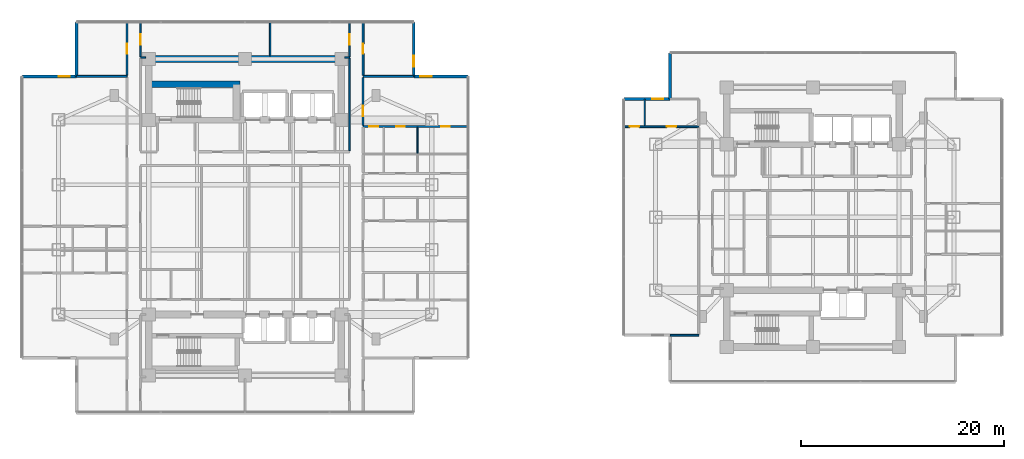
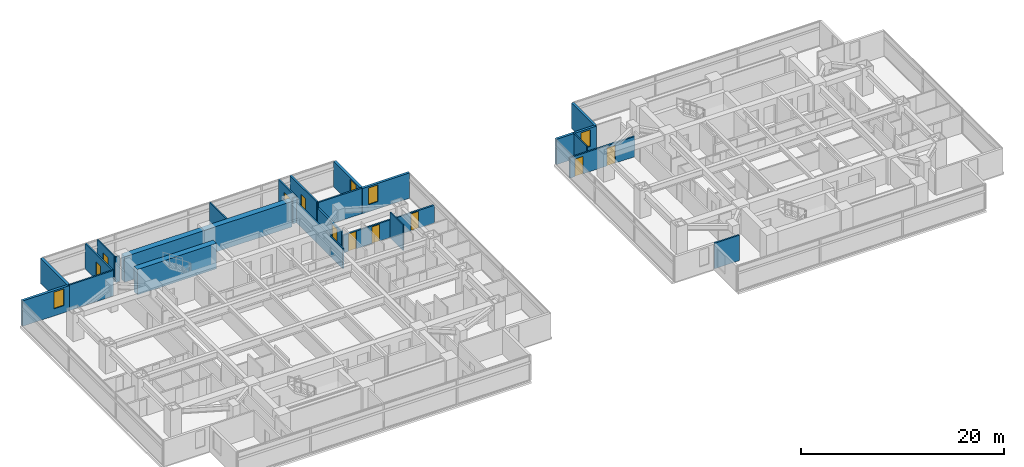
# One storey, part 16 of 24: 24 walls, 10 doors, 4 windows, 14 openings.
"""IFC4 building model written with IfcOpenShell, lengths in metres."""

from ifc_helpers import new_model, si_unit, direction, frame, frame_2d, origin, place, context, subcontext, project, spatial, rectangle, extrude, material, layer, layer_set, type_object, element, fill, save


model = new_model("IFC4")

# Units and contexts
model_context = context("Model", 3, precision=1e-05, world=origin(), true_north=direction((0.0, 1.0)))
body_context = subcontext(model_context, "Body", "Model", "MODEL_VIEW")
ifc_project = project(units=[si_unit("LENGTHUNIT", "METRE"), si_unit("AREAUNIT", "SQUARE_METRE"), si_unit("VOLUMEUNIT", "CUBIC_METRE"), si_unit("PLANEANGLEUNIT", "RADIAN"), si_unit("MASSUNIT", "GRAM", prefix="KILO")], contexts=[model_context])

# Site, building, storey
site_placement = place(None, origin())
site = spatial("IfcSite", under=ifc_project, at=site_placement, CompositionType="ELEMENT")
building_placement = place(site_placement, origin())
building = spatial("IfcBuilding", under=site, at=building_placement, Name="Mirazonda Arch Towers", CompositionType="ELEMENT")
storey_placement = place(building_placement, frame((0.0, 0.0, 68.60009765625)))
storey = spatial("IfcBuildingStorey", under=building, at=storey_placement, Name="L19", CompositionType="ELEMENT", Elevation=68.60009765625)

# Walls
ifc_material_1 = material(Name="Concrete C60/75", Category="concrete")
ifc_layer_1 = layer(ifc_material_1, 0.64990234375, Name="WALL-CORE-650")
ifc_layer_set_1 = layer_set([ifc_layer_1], Name="Concrete C60/75")
wall_type_1 = type_object("IfcWallType", Name="WALL-CORE-650", PredefinedType="SHEAR", material=ifc_layer_set_1)
wall_1_placement = place(storey_placement, frame((11.0, 43.60009765625, 0.0), z_axis=(0.0, 0.0, 1.0), x_axis=(1.0, 0.0, 0.0)))
element("IfcWall", 1, at=wall_1_placement, inside=storey, type_object=wall_type_1, Name="L19 T1N-N Core Shear Wall", PredefinedType="SHEAR", context=body_context, shape_type="SweptSolid", body=[
    extrude(rectangle(XDim=19.0, YDim=0.64990234375, at=frame_2d((9.5, 0.0))), origin(), (0.0, 0.0, 1.0), 3.059814453125),
])
wall_2_placement = place(storey_placement, frame((11.0, 41.093017578125, 0.0), z_axis=(0.0, 0.0, 1.0), x_axis=(1.0, 0.0, 0.0)))
element("IfcWall", 2, at=wall_2_placement, inside=storey, type_object=wall_type_1, Name="L19 T1N-STN Core Shear Wall", PredefinedType="SHEAR", context=body_context, shape_type="SweptSolid", body=[
    extrude(rectangle(XDim=9.0, YDim=0.64990234375, at=frame_2d((4.5, 0.0))), origin(), (0.0, 0.0, 1.0), 3.059814453125),
])

# Wall, opening, window
ifc_material_2 = material(Name="Precast Concrete C40/50", Category="concrete")
ifc_layer_2 = layer(ifc_material_2, 0.280029296875, Name="WALL-EXT-WALL-280")
ifc_layer_set_2 = layer_set([ifc_layer_2], Name="Precast Concrete C40/50")
wall_type_2 = type_object("IfcWallType", Name="WALL-EXT-WALL-280", PredefinedType="SOLIDWALL", material=ifc_layer_set_2)
wall_3_placement = place(storey_placement, frame((37.139892578125, 41.889892578125, 0.0), z_axis=(0.0, 0.0, 1.0), x_axis=(0.0, 1.0, 0.0)))
wall_3 = element("IfcWall", 3, at=wall_3_placement, inside=storey, type_object=wall_type_2, Name="L19 T1 Notched NE Corner Wall WL-L19-T1-CNE", PredefinedType="SOLIDWALL", context=body_context, shape_type="SweptSolid", body=[
    extrude(rectangle(XDim=5.340087890625, YDim=0.280029296875, at=frame_2d((2.669921875, 0.0))), origin(), (0.0, 0.0, 1.0), 3.039794921875),
])
opening_1_placement = place(wall_3_placement, frame((0.949951171875, 0.0, 0.85009765625)))
opening_1 = element("IfcOpeningElement", 4, at=opening_1_placement, cuts=wall_3, Name="Opening WN-108", PredefinedType="OPENING", context=body_context, shape_type="SweptSolid", body=[
    extrude(rectangle(XDim=1.10009765625, YDim=2.0, at=frame_2d((0.550048828125, 1.0))), frame((0.0, 0.14990234375, 0.0), z_axis=(0.0, -1.0, 0.0), x_axis=(1.0, 0.0, 0.0)), (0.0, 0.0, 1.0), 0.300048828125),
])
ifc_material_3 = material(Name="Insulated Low-E Solar Glass", Category="glass")
window_type = type_object("IfcWindowType", Name="WIN-NOTCH-1100x2000", PartitioningType="SINGLE_PANEL", PredefinedType="WINDOW", material=ifc_material_3)
window_1_placement = place(opening_1_placement, origin())
window_1 = element("IfcWindow", 5, at=window_1_placement, inside=storey, type_object=window_type, Name="L19 Punched Facade Window WN-L19-T1-CNE", OverallHeight=2.0, OverallWidth=1.10009765625, PartitioningType="SINGLE_PANEL", PredefinedType="WINDOW", context=body_context, shape_type="SweptSolid", body=[
    extrude(rectangle(XDim=1.10009765625, YDim=2.0, at=frame_2d((0.550048828125, 1.0))), frame((0.0, 0.030029296875, 0.0), z_axis=(0.0, -1.0, 0.0), x_axis=(1.0, 0.0, 0.0)), (0.0, 0.0, 1.0), 0.06005859375),
])
fill(opening_1, window_1)

wall_4_placement = place(storey_placement, frame((3.860107421875, 41.889892578125, 0.0), z_axis=(0.0, 0.0, 1.0), x_axis=(-1.0, 0.0, 0.0)))
wall_4 = element("IfcWall", 6, at=wall_4_placement, inside=storey, type_object=wall_type_2, Name="L19 T1 Corner Notch Return Wall WL-L19-T1-CNW1", PredefinedType="SOLIDWALL", context=body_context, shape_type="SweptSolid", body=[
    extrude(rectangle(XDim=5.340087890625, YDim=0.280029296875, at=frame_2d((2.669921875, 0.0))), origin(), (0.0, 0.0, 1.0), 3.039794921875),
])
opening_2_placement = place(wall_4_placement, frame((0.64990234375, 0.0, 0.85009765625)))
opening_2 = element("IfcOpeningElement", 7, at=opening_2_placement, cuts=wall_4, Name="Opening WN-108", PredefinedType="OPENING", context=body_context, shape_type="SweptSolid", body=[
    extrude(rectangle(XDim=1.10009765625, YDim=2.0, at=frame_2d((0.550048828125, 1.0))), frame((0.0, 0.14990234375, 0.0), z_axis=(0.0, -1.0, 0.0), x_axis=(1.0, 0.0, 0.0)), (0.0, 0.0, 1.0), 0.300048828125),
])
window_2_placement = place(opening_2_placement, origin())
window_2 = element("IfcWindow", 8, at=window_2_placement, inside=storey, type_object=window_type, Name="L19 Punched Facade Window WN-L19-T1-CNW1", OverallHeight=2.0, OverallWidth=1.10009765625, PartitioningType="SINGLE_PANEL", PredefinedType="WINDOW", context=body_context, shape_type="SweptSolid", body=[
    extrude(rectangle(XDim=1.10009765625, YDim=2.0, at=frame_2d((0.550048828125, 1.0))), frame((0.0, 0.030029296875, 0.0), z_axis=(0.0, -1.0, 0.0), x_axis=(1.0, 0.0, 0.0)), (0.0, 0.0, 1.0), 0.06005859375),
])
fill(opening_2, window_2)

# Wall
wall_5_placement = place(storey_placement, frame((3.860107421875, 47.22998046875, 0.0), z_axis=(0.0, 0.0, 1.0), x_axis=(0.0, -1.0, 0.0)))
element("IfcWall", 9, at=wall_5_placement, inside=storey, type_object=wall_type_2, Name="L19 T1 Corner Notch Return Wall WL-L19-T1-CNW2", PredefinedType="SOLIDWALL", context=body_context, shape_type="SweptSolid", body=[
    extrude(rectangle(XDim=5.340087890625, YDim=0.280029296875, at=frame_2d((2.669921875, 0.0))), origin(), (0.0, 0.0, 1.0), 3.039794921875),
])

# Wall, opening, window
wall_6_placement = place(storey_placement, frame((42.47998046875, 41.889892578125, 0.0), z_axis=(0.0, 0.0, 1.0), x_axis=(-1.0, 0.0, 0.0)))
wall_6 = element("IfcWall", 10, at=wall_6_placement, inside=storey, type_object=wall_type_2, Name="L19 T1 Corner Notch Return Wall WL-L19-T1-CNE2", PredefinedType="SOLIDWALL", context=body_context, shape_type="SweptSolid", body=[
    extrude(rectangle(XDim=5.340087890625, YDim=0.280029296875, at=frame_2d((2.669921875, 0.0))), origin(), (0.0, 0.0, 1.0), 3.039794921875),
])
opening_3_placement = place(wall_6_placement, frame((3.590087890625, 0.0, 0.85009765625)))
opening_3 = element("IfcOpeningElement", 11, at=opening_3_placement, cuts=wall_6, Name="Opening WN-108", PredefinedType="OPENING", context=body_context, shape_type="SweptSolid", body=[
    extrude(rectangle(XDim=1.10009765625, YDim=2.0, at=frame_2d((0.550048828125, 1.0))), frame((0.0, 0.14990234375, 0.0), z_axis=(0.0, -1.0, 0.0), x_axis=(1.0, 0.0, 0.0)), (0.0, 0.0, 1.0), 0.300048828125),
])
window_3_placement = place(opening_3_placement, origin())
window_3 = element("IfcWindow", 12, at=window_3_placement, inside=storey, type_object=window_type, Name="L19 Punched Facade Window WN-L19-T1-CNE2", OverallHeight=2.0, OverallWidth=1.10009765625, PartitioningType="SINGLE_PANEL", PredefinedType="WINDOW", context=body_context, shape_type="SweptSolid", body=[
    extrude(rectangle(XDim=1.10009765625, YDim=2.0, at=frame_2d((0.550048828125, 1.0))), frame((0.0, 0.030029296875, 0.0), z_axis=(0.0, -1.0, 0.0), x_axis=(1.0, 0.0, 0.0)), (0.0, 0.0, 1.0), 0.06005859375),
])
fill(opening_3, window_3)

wall_7_placement = place(storey_placement, frame((62.416015625, 39.646484375, 0.0), z_axis=(0.0, 0.0, 1.0), x_axis=(-1.0, 0.0, 0.0)))
wall_7 = element("IfcWall", 13, at=wall_7_placement, inside=storey, type_object=wall_type_2, Name="L19 T2 Corner Notch Return Wall WL-L19-T2-CNW1", PredefinedType="SOLIDWALL", context=body_context, shape_type="SweptSolid", body=[
    extrude(rectangle(XDim=4.5458984375, YDim=0.280029296875, at=frame_2d((2.27294921875, 0.0))), origin(), (0.0, 0.0, 1.0), 3.039794921875),
])
opening_4_placement = place(wall_7_placement, frame((0.64990234375, 0.0, 0.85009765625)))
opening_4 = element("IfcOpeningElement", 14, at=opening_4_placement, cuts=wall_7, Name="Opening WN-108", PredefinedType="OPENING", context=body_context, shape_type="SweptSolid", body=[
    extrude(rectangle(XDim=1.10009765625, YDim=2.0, at=frame_2d((0.550048828125, 1.0))), frame((0.0, 0.14990234375, 0.0), z_axis=(0.0, -1.0, 0.0), x_axis=(1.0, 0.0, 0.0)), (0.0, 0.0, 1.0), 0.300048828125),
])
window_4_placement = place(opening_4_placement, origin())
window_4 = element("IfcWindow", 15, at=window_4_placement, inside=storey, type_object=window_type, Name="L19 Punched Facade Window WN-L19-T2-CNW1", OverallHeight=2.0, OverallWidth=1.10009765625, PartitioningType="SINGLE_PANEL", PredefinedType="WINDOW", context=body_context, shape_type="SweptSolid", body=[
    extrude(rectangle(XDim=1.10009765625, YDim=2.0, at=frame_2d((0.550048828125, 1.0))), frame((0.0, 0.030029296875, 0.0), z_axis=(0.0, -1.0, 0.0), x_axis=(1.0, 0.0, 0.0)), (0.0, 0.0, 1.0), 0.06005859375),
])
fill(opening_4, window_4)

# Walls
wall_8_placement = place(storey_placement, frame((62.416015625, 44.1923828125, 0.0), z_axis=(0.0, 0.0, 1.0), x_axis=(0.0, -1.0, 0.0)))
element("IfcWall", 16, at=wall_8_placement, inside=storey, type_object=wall_type_2, Name="L19 T2 Corner Notch Return Wall WL-L19-T2-CNW2", PredefinedType="SOLIDWALL", context=body_context, shape_type="SweptSolid", body=[
    extrude(rectangle(XDim=4.5458984375, YDim=0.280029296875, at=frame_2d((2.27294921875, 0.0))), origin(), (0.0, 0.0, 1.0), 3.039794921875),
])
ifc_material_4 = material(Name="Fire-Rated Gypsum Stud Partition")
ifc_layer_3 = layer(ifc_material_4, 0.14990234375, Name="WALL-PART-CORR-150")
ifc_layer_set_3 = layer_set([ifc_layer_3], Name="Fire-Rated Gypsum Stud Partition")
wall_type_3 = type_object("IfcWallType", Name="WALL-PART-CORR-150", PredefinedType="PARTITIONING", material=ifc_layer_set_3)
for number, where, z_axis, x_axis, name in (
    (17, (10.199951171875, 43.75, 0.0), (0.0, 0.0, 1.0), (1.0, 0.0, 0.0), "L19 Interior Partition 056"),
    (18, (30.320068359375, 43.75, 0.0), (0.0, 0.0, 1.0), (1.0, 0.0, 0.0), "L19 Interior Partition 057"),
):
    element("IfcWall", number, at=place(storey_placement, frame(where, z_axis=z_axis, x_axis=x_axis)), inside=storey, type_object=wall_type_3, Name=name, PredefinedType="PARTITIONING", context=body_context, shape_type="SweptSolid", body=[
        extrude(rectangle(XDim=0.47998046875, YDim=0.14990234375, at=frame_2d((0.239990234375, 0.0))), origin(), (0.0, 0.0, 1.0), 3.059814453125),
    ])

# Wall, opening, door
wall_9_placement = place(storey_placement, frame((10.199951171875, 43.8349609375, 0.0), z_axis=(0.0, 0.0, 1.0), x_axis=(0.0, 1.0, 0.0)))
wall_9 = element("IfcWall", 19, at=wall_9_placement, inside=storey, type_object=wall_type_3, Name="L19 Interior Partition 073", PredefinedType="PARTITIONING", context=body_context, shape_type="SweptSolid", body=[
    extrude(rectangle(XDim=3.39501953125, YDim=0.14990234375, at=frame_2d((1.697509765625, 0.0))), origin(), (0.0, 0.0, 1.0), 3.059814453125),
])
opening_5_placement = place(wall_9_placement, frame((1.172607421875, 0.0, 0.0)))
opening_5 = element("IfcOpeningElement", 20, at=opening_5_placement, cuts=wall_9, Name="Opening DR-121", PredefinedType="OPENING", context=body_context, shape_type="SweptSolid", body=[
    extrude(rectangle(XDim=1.050048828125, YDim=2.199951171875, at=frame_2d((0.52490234375, 1.10009765625))), frame((0.0, 0.0849609375, 0.0), z_axis=(0.0, -1.0, 0.0), x_axis=(1.0, 0.0, 0.0)), (0.0, 0.0, 1.0), 0.169921875),
])
ifc_material_5 = material(Name="Architectural Brushed Steel S355", Category="steel")
door_type_1 = type_object("IfcDoorType", Name="DOOR-SUITE-FD60-1050", OperationType="NOTDEFINED", PredefinedType="DOOR", material=ifc_material_5)
door_1_placement = place(opening_5_placement, origin())
door_1 = element("IfcDoor", 21, at=door_1_placement, inside=storey, type_object=door_type_1, Name="L19 North Bay Sunroom West Door", OperationType="SINGLE_SWING_RIGHT", OverallHeight=2.199951171875, OverallWidth=1.050048828125, PredefinedType="DOOR", context=body_context, shape_type="SweptSolid", body=[
    extrude(rectangle(XDim=1.050048828125, YDim=2.199951171875, at=frame_2d((0.52490234375, 1.10009765625))), frame((0.0, 0.02490234375, 0.0), z_axis=(0.0, -1.0, 0.0), x_axis=(1.0, 0.0, 0.0)), (0.0, 0.0, 1.0), 0.050048828125),
])
fill(opening_5, door_1)

# Walls
wall_10_placement = place(storey_placement, frame((22.971923828125, 43.919921875, 0.0), z_axis=(0.0, 0.0, 1.0), x_axis=(0.0, 1.0, 0.0)))
element("IfcWall", 22, at=wall_10_placement, inside=storey, type_object=wall_type_3, Name="L19 Interior Partition 086", PredefinedType="PARTITIONING", context=body_context, shape_type="SweptSolid", body=[
    extrude(rectangle(XDim=3.31005859375, YDim=0.14990234375, at=frame_2d((1.655029296875, 0.0))), origin(), (0.0, 0.0, 1.0), 3.059814453125),
])
wall_11_placement = place(storey_placement, frame((30.800048828125, 34.570068359375, 0.0), z_axis=(0.0, 0.0, 1.0), x_axis=(0.0, 1.0, 0.0)))
element("IfcWall", 23, at=wall_11_placement, inside=storey, type_object=wall_type_3, Name="L19 Interior Partition 099", PredefinedType="PARTITIONING", context=body_context, shape_type="SweptSolid", body=[
    extrude(rectangle(XDim=9.094970703125, YDim=0.14990234375, at=frame_2d((4.54736328125, 0.0))), origin(), (0.0, 0.0, 1.0), 2.435791015625),
])

# Wall, opening, door
wall_12_placement = place(storey_placement, frame((30.800048828125, 43.8349609375, 0.0), z_axis=(0.0, 0.0, 1.0), x_axis=(0.0, 1.0, 0.0)))
wall_12 = element("IfcWall", 24, at=wall_12_placement, inside=storey, type_object=wall_type_3, Name="L19 Interior Partition 100", PredefinedType="PARTITIONING", context=body_context, shape_type="SweptSolid", body=[
    extrude(rectangle(XDim=3.39501953125, YDim=0.14990234375, at=frame_2d((1.697509765625, 0.0))), origin(), (0.0, 0.0, 1.0), 3.059814453125),
])
opening_6_placement = place(wall_12_placement, frame((1.172607421875, 0.0, 0.0)))
opening_6 = element("IfcOpeningElement", 25, at=opening_6_placement, cuts=wall_12, Name="Opening DR-121", PredefinedType="OPENING", context=body_context, shape_type="SweptSolid", body=[
    extrude(rectangle(XDim=1.050048828125, YDim=2.199951171875, at=frame_2d((0.52490234375, 1.10009765625))), frame((0.0, 0.0849609375, 0.0), z_axis=(0.0, -1.0, 0.0), x_axis=(1.0, 0.0, 0.0)), (0.0, 0.0, 1.0), 0.169921875),
])
door_2_placement = place(opening_6_placement, origin())
door_2 = element("IfcDoor", 26, at=door_2_placement, inside=storey, type_object=door_type_1, Name="L19 North Bay Sunroom East Door", OperationType="SINGLE_SWING_LEFT", OverallHeight=2.199951171875, OverallWidth=1.050048828125, PredefinedType="DOOR", context=body_context, shape_type="SweptSolid", body=[
    extrude(rectangle(XDim=1.050048828125, YDim=2.199951171875, at=frame_2d((0.52490234375, 1.10009765625))), frame((0.0, 0.02490234375, 0.0), z_axis=(0.0, -1.0, 0.0), x_axis=(1.0, 0.0, 0.0)), (0.0, 0.0, 1.0), 0.050048828125),
])
fill(opening_6, door_2)

# Wall
ifc_material_6 = material(Name="Fire-Rated Gypsum Twin-Stud Assembly")
ifc_layer_4 = layer(ifc_material_6, 0.179931640625, Name="WALL-PART-DEMISE-180")
ifc_layer_set_4 = layer_set([ifc_layer_4], Name="Fire-Rated Gypsum Twin-Stud Assembly")
wall_type_4 = type_object("IfcWallType", Name="WALL-PART-DEMISE-180", PredefinedType="PARTITIONING", material=ifc_layer_set_4)
wall_13_placement = place(storey_placement, frame((62.43603515625, 16.35400390625, 0.0), z_axis=(0.0, 0.0, 1.0), x_axis=(1.0, 0.0, 0.0)))
element("IfcWall", 27, at=wall_13_placement, inside=storey, type_object=wall_type_4, Name="L19 Interior Partition 009", PredefinedType="PARTITIONING", context=body_context, shape_type="SweptSolid", body=[
    extrude(rectangle(XDim=2.81396484375, YDim=0.179931640625, at=frame_2d((1.406982421875, 0.0))), origin(), (0.0, 0.0, 1.0), 3.059814453125),
])

# Wall, openings, doors
wall_14_placement = place(storey_placement, frame((32.139892578125, 36.9541015625, 0.0), z_axis=(0.0, 0.0, 1.0), x_axis=(1.0, 0.0, 0.0)))
wall_14 = element("IfcWall", 28, at=wall_14_placement, inside=storey, type_object=wall_type_4, Name="L19 Interior Partition 045", PredefinedType="PARTITIONING", context=body_context, shape_type="SweptSolid", body=[
    extrude(rectangle(XDim=10.340087890625, YDim=0.179931640625, at=frame_2d((5.169921875, 0.0))), origin(), (0.0, 0.0, 1.0), 2.125),
])
opening_7_placement = place(wall_14_placement, frame((7.705078125, 0.0, 0.0)))
opening_7 = element("IfcOpeningElement", 29, at=opening_7_placement, cuts=wall_14, Name="Opening DR-128", PredefinedType="OPENING", context=body_context, shape_type="SweptSolid", body=[
    extrude(rectangle(XDim=0.85009765625, YDim=2.010009765625, at=frame_2d((0.425048828125, 1.0048828125))), frame((0.0, 0.099853515625, 0.0), z_axis=(0.0, -1.0, 0.0), x_axis=(1.0, 0.0, 0.0)), (0.0, 0.0, 1.0), 0.199951171875),
])
opening_8_placement = place(wall_14_placement, frame((3.27490234375, 0.0, 0.0)))
opening_8 = element("IfcOpeningElement", 30, at=opening_8_placement, cuts=wall_14, Name="Opening DR-128", PredefinedType="OPENING", context=body_context, shape_type="SweptSolid", body=[
    extrude(rectangle(XDim=0.85009765625, YDim=2.010009765625, at=frame_2d((0.425048828125, 1.0048828125))), frame((0.0, 0.099853515625, 0.0), z_axis=(0.0, -1.0, 0.0), x_axis=(1.0, 0.0, 0.0)), (0.0, 0.0, 1.0), 0.199951171875),
])
opening_9_placement = place(wall_14_placement, frame((0.590087890625, 0.0, 0.0)))
opening_9 = element("IfcOpeningElement", 31, at=opening_9_placement, cuts=wall_14, Name="Opening DR-120", PredefinedType="OPENING", context=body_context, shape_type="SweptSolid", body=[
    extrude(rectangle(XDim=0.89990234375, YDim=2.10009765625, at=frame_2d((0.449951171875, 1.050048828125))), frame((0.0, 0.099853515625, 0.0), z_axis=(0.0, -1.0, 0.0), x_axis=(1.0, 0.0, 0.0)), (0.0, 0.0, 1.0), 0.199951171875),
])
door_type_2 = type_object("IfcDoorType", Name="DOOR-RISER-FD60-850", OperationType="NOTDEFINED", PredefinedType="DOOR", material=ifc_material_5)
door_3_placement = place(opening_7_placement, origin())
door_3 = element("IfcDoor", 32, at=door_3_placement, inside=storey, type_object=door_type_2, Name="L19 Residence 4 Principal Bedroom Door", OperationType="SINGLE_SWING_RIGHT", OverallHeight=2.010009765625, OverallWidth=0.85009765625, PredefinedType="DOOR", context=body_context, shape_type="SweptSolid", body=[
    extrude(rectangle(XDim=0.85009765625, YDim=2.010009765625, at=frame_2d((0.425048828125, 1.0048828125))), frame((0.0, 0.02490234375, 0.0), z_axis=(0.0, -1.0, 0.0), x_axis=(1.0, 0.0, 0.0)), (0.0, 0.0, 1.0), 0.050048828125),
])
fill(opening_7, door_3)
door_4_placement = place(opening_8_placement, origin())
door_4 = element("IfcDoor", 33, at=door_4_placement, inside=storey, type_object=door_type_2, Name="L19 Residence 4 Fitted Kitchen Door", OperationType="SINGLE_SWING_LEFT", OverallHeight=2.010009765625, OverallWidth=0.85009765625, PredefinedType="DOOR", context=body_context, shape_type="SweptSolid", body=[
    extrude(rectangle(XDim=0.85009765625, YDim=2.010009765625, at=frame_2d((0.425048828125, 1.0048828125))), frame((0.0, 0.02490234375, 0.0), z_axis=(0.0, -1.0, 0.0), x_axis=(1.0, 0.0, 0.0)), (0.0, 0.0, 1.0), 0.050048828125),
])
fill(opening_8, door_4)
door_type_3 = type_object("IfcDoorType", Name="DOOR-WC-900", OperationType="NOTDEFINED", PredefinedType="DOOR", material=ifc_material_5)
door_5_placement = place(opening_9_placement, origin())
door_5 = element("IfcDoor", 34, at=door_5_placement, inside=storey, type_object=door_type_3, Name="L19 Residence 4 Bathroom Door", OperationType="SINGLE_SWING_RIGHT", OverallHeight=2.10009765625, OverallWidth=0.89990234375, PredefinedType="DOOR", context=body_context, shape_type="SweptSolid", body=[
    extrude(rectangle(XDim=0.89990234375, YDim=2.10009765625, at=frame_2d((0.449951171875, 1.050048828125))), frame((0.0, 0.02490234375, 0.0), z_axis=(0.0, -1.0, 0.0), x_axis=(1.0, 0.0, 0.0)), (0.0, 0.0, 1.0), 0.050048828125),
])
fill(opening_9, door_5)

wall_15_placement = place(storey_placement, frame((57.8701171875, 36.927001953125, 0.0), z_axis=(0.0, 0.0, 1.0), x_axis=(1.0, 0.0, 0.0)))
wall_15 = element("IfcWall", 35, at=wall_15_placement, inside=storey, type_object=wall_type_4, Name="L19 Interior Partition 046", PredefinedType="PARTITIONING", context=body_context, shape_type="SweptSolid", body=[
    extrude(rectangle(XDim=7.3798828125, YDim=0.179931640625, at=frame_2d((3.68994140625, 0.0))), origin(), (0.0, 0.0, 1.0), 2.435791015625),
])
opening_10_placement = place(wall_15_placement, frame((4.215087890625, 0.0, 0.0)))
opening_10 = element("IfcOpeningElement", 36, at=opening_10_placement, cuts=wall_15, Name="Opening DR-104", PredefinedType="OPENING", context=body_context, shape_type="SweptSolid", body=[
    extrude(rectangle(XDim=0.949951171875, YDim=2.14990234375, at=frame_2d((0.47509765625, 1.074951171875))), frame((0.0, 0.099853515625, 0.0), z_axis=(0.0, -1.0, 0.0), x_axis=(1.0, 0.0, 0.0)), (0.0, 0.0, 1.0), 0.199951171875),
])
opening_11_placement = place(wall_15_placement, frame((0.590087890625, 0.0, 0.0)))
opening_11 = element("IfcOpeningElement", 37, at=opening_11_placement, cuts=wall_15, Name="Opening DR-120", PredefinedType="OPENING", context=body_context, shape_type="SweptSolid", body=[
    extrude(rectangle(XDim=0.89990234375, YDim=2.10009765625, at=frame_2d((0.449951171875, 1.050048828125))), frame((0.0, 0.099853515625, 0.0), z_axis=(0.0, -1.0, 0.0), x_axis=(1.0, 0.0, 0.0)), (0.0, 0.0, 1.0), 0.199951171875),
])
door_type_4 = type_object("IfcDoorType", Name="DOOR-ROOM-950", OperationType="NOTDEFINED", PredefinedType="DOOR", material=ifc_material_5)
door_6_placement = place(opening_10_placement, origin())
door_6 = element("IfcDoor", 38, at=door_6_placement, inside=storey, type_object=door_type_4, Name="L19 Suite Bedroom 1 Door", OperationType="SINGLE_SWING_LEFT", OverallHeight=2.14990234375, OverallWidth=0.949951171875, PredefinedType="DOOR", context=body_context, shape_type="SweptSolid", body=[
    extrude(rectangle(XDim=0.949951171875, YDim=2.14990234375, at=frame_2d((0.47509765625, 1.074951171875))), frame((0.0, 0.02490234375, 0.0), z_axis=(0.0, -1.0, 0.0), x_axis=(1.0, 0.0, 0.0)), (0.0, 0.0, 1.0), 0.050048828125),
])
fill(opening_10, door_6)
door_7_placement = place(opening_11_placement, origin())
door_7 = element("IfcDoor", 39, at=door_7_placement, inside=storey, type_object=door_type_3, Name="L19 Suite En-Suite Bathroom 1 Door", OperationType="SINGLE_SWING_RIGHT", OverallHeight=2.10009765625, OverallWidth=0.89990234375, PredefinedType="DOOR", context=body_context, shape_type="SweptSolid", body=[
    extrude(rectangle(XDim=0.89990234375, YDim=2.10009765625, at=frame_2d((0.449951171875, 1.050048828125))), frame((0.0, 0.02490234375, 0.0), z_axis=(0.0, -1.0, 0.0), x_axis=(1.0, 0.0, 0.0)), (0.0, 0.0, 1.0), 0.050048828125),
])
fill(opening_11, door_7)

# Walls
for number, where, z_axis, x_axis, name in (
    (40, (3.8798828125, 41.889892578125, 0.0), (0.0, 0.0, 1.0), (1.0, 0.0, 0.0), "L19 Interior Partition 054"),
    (41, (32.139892578125, 41.889892578125, 0.0), (0.0, 0.0, 1.0), (1.0, 0.0, 0.0), "L19 Interior Partition 055"),
):
    element("IfcWall", number, at=place(storey_placement, frame(where, z_axis=z_axis, x_axis=x_axis)), inside=storey, type_object=wall_type_4, Name=name, PredefinedType="PARTITIONING", context=body_context, shape_type="SweptSolid", body=[
        extrude(rectangle(XDim=4.980224609375, YDim=0.179931640625, at=frame_2d((2.490234375, 0.0))), origin(), (0.0, 0.0, 1.0), 3.059814453125),
    ])

# Wall, opening, door
wall_16_placement = place(storey_placement, frame((8.860107421875, 41.989990234375, 0.0), z_axis=(0.0, 0.0, 1.0), x_axis=(0.0, 1.0, 0.0)))
wall_16 = element("IfcWall", 42, at=wall_16_placement, inside=storey, type_object=wall_type_4, Name="L19 Interior Partition 067", PredefinedType="PARTITIONING", context=body_context, shape_type="SweptSolid", body=[
    extrude(rectangle(XDim=5.239990234375, YDim=0.179931640625, at=frame_2d((2.6201171875, 0.0))), origin(), (0.0, 0.0, 1.0), 3.059814453125),
])
opening_12_placement = place(wall_16_placement, frame((2.14501953125, 0.0, 0.0)))
opening_12 = element("IfcOpeningElement", 43, at=opening_12_placement, cuts=wall_16, Name="Opening DR-104", PredefinedType="OPENING", context=body_context, shape_type="SweptSolid", body=[
    extrude(rectangle(XDim=0.949951171875, YDim=2.14990234375, at=frame_2d((0.47509765625, 1.074951171875))), frame((0.0, 0.099853515625, 0.0), z_axis=(0.0, -1.0, 0.0), x_axis=(1.0, 0.0, 0.0)), (0.0, 0.0, 1.0), 0.199951171875),
])
door_8_placement = place(opening_12_placement, origin())
door_8 = element("IfcDoor", 44, at=door_8_placement, inside=storey, type_object=door_type_4, Name="L19 North Bay Sunroom Alcove West Door", OperationType="SINGLE_SWING_RIGHT", OverallHeight=2.14990234375, OverallWidth=0.949951171875, PredefinedType="DOOR", context=body_context, shape_type="SweptSolid", body=[
    extrude(rectangle(XDim=0.949951171875, YDim=2.14990234375, at=frame_2d((0.47509765625, 1.074951171875))), frame((0.0, 0.02490234375, 0.0), z_axis=(0.0, -1.0, 0.0), x_axis=(1.0, 0.0, 0.0)), (0.0, 0.0, 1.0), 0.050048828125),
])
fill(opening_12, door_8)

wall_17_placement = place(storey_placement, frame((32.139892578125, 37.053955078125, 0.0), z_axis=(0.0, 0.0, 1.0), x_axis=(0.0, 1.0, 0.0)))
wall_17 = element("IfcWall", 45, at=wall_17_placement, inside=storey, type_object=wall_type_4, Name="L19 Interior Partition 109", PredefinedType="PARTITIONING", context=body_context, shape_type="SweptSolid", body=[
    extrude(rectangle(XDim=4.736083984375, YDim=0.179931640625, at=frame_2d((2.3681640625, 0.0))), origin(), (0.0, 0.0, 1.0), 2.435791015625),
])
opening_13_placement = place(wall_17_placement, frame((0.89306640625, 0.0, 0.0)))
opening_13 = element("IfcOpeningElement", 46, at=opening_13_placement, cuts=wall_17, Name="Opening DR-121", PredefinedType="OPENING", context=body_context, shape_type="SweptSolid", body=[
    extrude(rectangle(XDim=1.050048828125, YDim=2.199951171875, at=frame_2d((0.52490234375, 1.10009765625))), frame((0.0, 0.099853515625, 0.0), z_axis=(0.0, -1.0, 0.0), x_axis=(1.0, 0.0, 0.0)), (0.0, 0.0, 1.0), 0.199951171875),
])
door_9_placement = place(opening_13_placement, origin())
door_9 = element("IfcDoor", 47, at=door_9_placement, inside=storey, type_object=door_type_1, Name="L19 Residence 4 Living & Dining Salon Door", OperationType="SINGLE_SWING_LEFT", OverallHeight=2.199951171875, OverallWidth=1.050048828125, PredefinedType="DOOR", context=body_context, shape_type="SweptSolid", body=[
    extrude(rectangle(XDim=1.050048828125, YDim=2.199951171875, at=frame_2d((0.52490234375, 1.10009765625))), frame((0.0, 0.02490234375, 0.0), z_axis=(0.0, -1.0, 0.0), x_axis=(1.0, 0.0, 0.0)), (0.0, 0.0, 1.0), 0.050048828125),
])
fill(opening_13, door_9)

wall_18_placement = place(storey_placement, frame((32.139892578125, 41.989990234375, 0.0), z_axis=(0.0, 0.0, 1.0), x_axis=(0.0, 1.0, 0.0)))
wall_18 = element("IfcWall", 48, at=wall_18_placement, inside=storey, type_object=wall_type_4, Name="L19 Interior Partition 110", PredefinedType="PARTITIONING", context=body_context, shape_type="SweptSolid", body=[
    extrude(rectangle(XDim=5.239990234375, YDim=0.179931640625, at=frame_2d((2.6201171875, 0.0))), origin(), (0.0, 0.0, 1.0), 3.059814453125),
])
opening_14_placement = place(wall_18_placement, frame((2.14501953125, 0.0, 0.0)))
opening_14 = element("IfcOpeningElement", 49, at=opening_14_placement, cuts=wall_18, Name="Opening DR-104", PredefinedType="OPENING", context=body_context, shape_type="SweptSolid", body=[
    extrude(rectangle(XDim=0.949951171875, YDim=2.14990234375, at=frame_2d((0.47509765625, 1.074951171875))), frame((0.0, 0.099853515625, 0.0), z_axis=(0.0, -1.0, 0.0), x_axis=(1.0, 0.0, 0.0)), (0.0, 0.0, 1.0), 0.199951171875),
])
door_10_placement = place(opening_14_placement, origin())
door_10 = element("IfcDoor", 50, at=door_10_placement, inside=storey, type_object=door_type_4, Name="L19 North Bay Sunroom Alcove East Door", OperationType="SINGLE_SWING_LEFT", OverallHeight=2.14990234375, OverallWidth=0.949951171875, PredefinedType="DOOR", context=body_context, shape_type="SweptSolid", body=[
    extrude(rectangle(XDim=0.949951171875, YDim=2.14990234375, at=frame_2d((0.47509765625, 1.074951171875))), frame((0.0, 0.02490234375, 0.0), z_axis=(0.0, -1.0, 0.0), x_axis=(1.0, 0.0, 0.0)), (0.0, 0.0, 1.0), 0.050048828125),
])
fill(opening_14, door_10)

# Walls
ifc_material_7 = material(Name="Acoustic Fire-Rated Gypsum Partition")
ifc_layer_5 = layer(ifc_material_7, 0.125, Name="WALL-PART-UNIT-125")
ifc_layer_set_5 = layer_set([ifc_layer_5], Name="Acoustic Fire-Rated Gypsum Partition")
wall_type_5 = type_object("IfcWallType", Name="WALL-PART-UNIT-125", PredefinedType="PARTITIONING", material=ifc_layer_set_5)
wall_19_placement = place(storey_placement, frame((37.5, 34.306396484375, 0.0), z_axis=(0.0, 0.0, 1.0), x_axis=(0.0, 1.0, 0.0)))
element("IfcWall", 51, at=wall_19_placement, inside=storey, type_object=wall_type_5, Name="L19 Interior Partition 118", PredefinedType="PARTITIONING", context=body_context, shape_type="SweptSolid", body=[
    extrude(rectangle(XDim=2.547607421875, YDim=0.125, at=frame_2d((1.27392578125, 0.0))), origin(), (0.0, 0.0, 1.0), 3.059814453125),
])
wall_20_placement = place(storey_placement, frame((59.909912109375, 37.027099609375, 0.0), z_axis=(0.0, 0.0, 1.0), x_axis=(0.0, 1.0, 0.0)))
element("IfcWall", 52, at=wall_20_placement, inside=storey, type_object=wall_type_5, Name="L19 Interior Partition 119", PredefinedType="PARTITIONING", context=body_context, shape_type="SweptSolid", body=[
    extrude(rectangle(XDim=2.619873046875, YDim=0.125, at=frame_2d((1.31005859375, 0.0))), origin(), (0.0, 0.0, 1.0), 3.059814453125),
])

save(model, "model.ifc")
